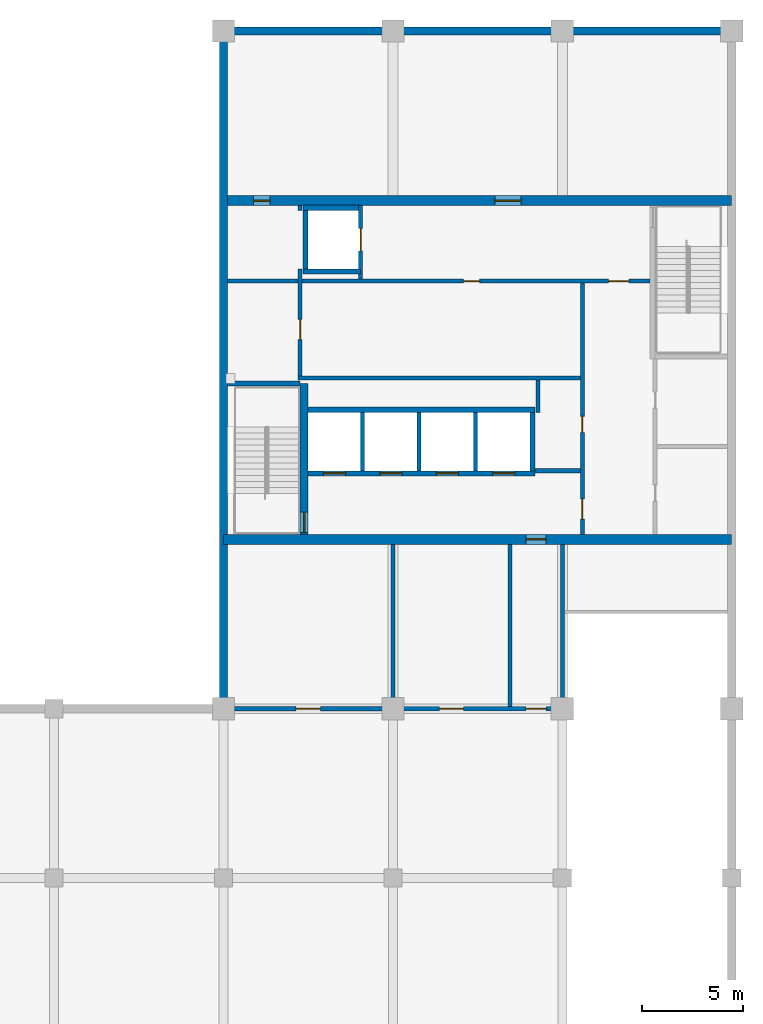
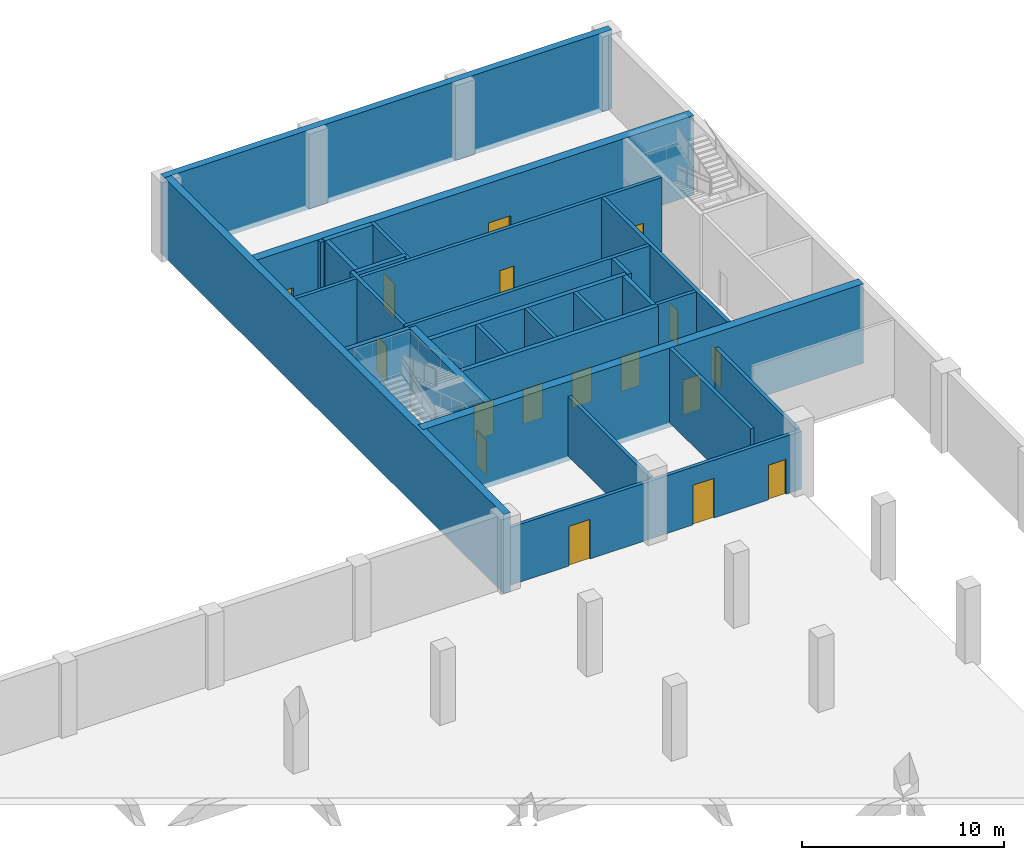
# One storey, part 6 of 13: 27 walls, 17 doors, 17 openings.
"""IFC4 building model written with IfcOpenShell, lengths in metres."""

from ifc_helpers import new_model, si_unit, direction, frame, frame_2d, origin, place, context, subcontext, project, spatial, rectangle, extrude, material, layer, layer_set, type_object, element, fill, save


model = new_model("IFC4")

# Units and contexts
model_context = context("Model", 3, precision=1e-05, world=origin(), true_north=direction((0.0, 1.0)))
body_context = subcontext(model_context, "Body", "Model", "MODEL_VIEW")
ifc_project = project(units=[si_unit("LENGTHUNIT", "METRE"), si_unit("AREAUNIT", "SQUARE_METRE"), si_unit("VOLUMEUNIT", "CUBIC_METRE"), si_unit("PLANEANGLEUNIT", "RADIAN"), si_unit("MASSUNIT", "GRAM", prefix="KILO")], contexts=[model_context])

# Site, building, storey
site_placement = place(None, origin())
site = spatial("IfcSite", under=ifc_project, at=site_placement, CompositionType="ELEMENT")
building_placement = place(site_placement, origin())
building = spatial("IfcBuilding", under=site, at=building_placement, Name="Rulbaag Community and Learning Centre", CompositionType="ELEMENT")
storey_placement = place(building_placement, frame((0.0, 0.0, -4.800048828125)))
storey = spatial("IfcBuildingStorey", under=building, at=storey_placement, Name="B1", CompositionType="ELEMENT", Elevation=-4.800048828125)

# Wall, openings, doors
ifc_material_1 = material(Name="Concrete blockwork", Category="masonry")
ifc_layer_1 = layer(ifc_material_1, 0.199951171875)
ifc_layer_set_1 = layer_set([ifc_layer_1], Name="FW-200 FIRE WALL 200")
wall_type_1 = type_object("IfcWallType", Name="FW-200 FIRE WALL 200", PredefinedType="SOLIDWALL", material=ifc_layer_set_1)
wall_1_placement = place(storey_placement, frame((143.0, 84.0, 0.0), z_axis=(0.0, 0.0, 1.0), x_axis=(1.0, 0.0, 0.0)))
wall_1 = element("IfcWall", 1, at=wall_1_placement, inside=storey, type_object=wall_type_1, Name="Fire wall B1 11", PredefinedType="SOLIDWALL", context=body_context, shape_type="SweptSolid", body=[
    extrude(rectangle(XDim=16.699951171875, YDim=0.199951171875, at=frame_2d((8.35009765625, 0.0))), origin(), (0.0, 0.0, 1.0), 3.5),
])
opening_1_placement = place(wall_1_placement, frame((3.39990234375, 0.0, 0.0)))
opening_1 = element("IfcOpeningElement", 2, at=opening_1_placement, cuts=wall_1, Name="Opening B1-D010", PredefinedType="OPENING", context=body_context, shape_type="SweptSolid", body=[
    extrude(rectangle(XDim=1.199951171875, YDim=2.39990234375, at=frame_2d((0.60009765625, 1.199951171875))), frame((0.0, 0.10986328125, 0.0), z_axis=(0.0, -1.0, 0.0), x_axis=(1.0, 0.0, 0.0)), (0.0, 0.0, 1.0), 0.219970703125),
])
opening_2_placement = place(wall_1_placement, frame((10.5, 0.0, 0.0)))
opening_2 = element("IfcOpeningElement", 3, at=opening_2_placement, cuts=wall_1, Name="Opening B1-D015", PredefinedType="OPENING", context=body_context, shape_type="SweptSolid", body=[
    extrude(rectangle(XDim=1.199951171875, YDim=2.39990234375, at=frame_2d((0.60009765625, 1.199951171875))), frame((0.0, 0.10986328125, 0.0), z_axis=(0.0, -1.0, 0.0), x_axis=(1.0, 0.0, 0.0)), (0.0, 0.0, 1.0), 0.219970703125),
])
opening_3_placement = place(wall_1_placement, frame((14.800048828125, 0.0, 0.0)))
opening_3 = element("IfcOpeningElement", 4, at=opening_3_placement, cuts=wall_1, Name="Opening B1-D020", PredefinedType="OPENING", context=body_context, shape_type="SweptSolid", body=[
    extrude(rectangle(XDim=1.0, YDim=2.10009765625, at=frame_2d((0.5, 1.050048828125))), frame((0.0, 0.10986328125, 0.0), z_axis=(0.0, -1.0, 0.0), x_axis=(1.0, 0.0, 0.0)), (0.0, 0.0, 1.0), 0.219970703125),
])
ifc_material_2 = material(Name="Galvanised steel", Category="steel")
door_type_1 = type_object("IfcDoorType", Name="DP-1200 PLANT ROOM DOOR 1200 x 2400", OperationType="SINGLE_SWING_LEFT", PredefinedType="DOOR", material=ifc_material_2)
door_1_placement = place(opening_1_placement, origin())
door_1 = element("IfcDoor", 5, at=door_1_placement, inside=storey, type_object=door_type_1, Name="Door B1-D010", OperationType="SINGLE_SWING_RIGHT", OverallHeight=2.39990234375, OverallWidth=1.199951171875, PredefinedType="DOOR", context=body_context, shape_type="SweptSolid", body=[
    extrude(rectangle(XDim=1.199951171875, YDim=2.39990234375, at=frame_2d((0.60009765625, 1.199951171875))), frame((0.0, 0.02490234375, 0.0), z_axis=(0.0, -1.0, 0.0), x_axis=(1.0, 0.0, 0.0)), (0.0, 0.0, 1.0), 0.050048828125),
])
fill(opening_1, door_1)
door_2_placement = place(opening_2_placement, origin())
door_2 = element("IfcDoor", 6, at=door_2_placement, inside=storey, type_object=door_type_1, Name="Door B1-D015", OperationType="SINGLE_SWING_LEFT", OverallHeight=2.39990234375, OverallWidth=1.199951171875, PredefinedType="DOOR", context=body_context, shape_type="SweptSolid", body=[
    extrude(rectangle(XDim=1.199951171875, YDim=2.39990234375, at=frame_2d((0.60009765625, 1.199951171875))), frame((0.0, 0.02490234375, 0.0), z_axis=(0.0, -1.0, 0.0), x_axis=(1.0, 0.0, 0.0)), (0.0, 0.0, 1.0), 0.050048828125),
])
fill(opening_2, door_2)
door_type_2 = type_object("IfcDoorType", Name="FD-1000 FIRE DOOR 1000 x 2100", OperationType="SINGLE_SWING_LEFT", PredefinedType="DOOR", material=ifc_material_2)
door_3_placement = place(opening_3_placement, origin())
door_3 = element("IfcDoor", 7, at=door_3_placement, inside=storey, type_object=door_type_2, Name="Door B1-D020", OperationType="SINGLE_SWING_RIGHT", OverallHeight=2.10009765625, OverallWidth=1.0, PredefinedType="DOOR", context=body_context, shape_type="SweptSolid", body=[
    extrude(rectangle(XDim=1.0, YDim=2.10009765625, at=frame_2d((0.5, 1.050048828125))), frame((0.0, 0.02490234375, 0.0), z_axis=(0.0, -1.0, 0.0), x_axis=(1.0, 0.0, 0.0)), (0.0, 0.0, 1.0), 0.050048828125),
])
fill(opening_3, door_3)

# Walls
wall_2_placement = place(storey_placement, frame((158.25, 95.800048828125, 0.0), z_axis=(0.0, 0.0, 1.0), x_axis=(1.0, 0.0, 0.0)))
element("IfcWall", 8, at=wall_2_placement, inside=storey, type_object=wall_type_1, Name="Fire wall B1 14", PredefinedType="SOLIDWALL", context=body_context, shape_type="SweptSolid", body=[
    extrude(rectangle(XDim=2.25, YDim=0.199951171875, at=frame_2d((1.125, 0.0))), origin(), (0.0, 0.0, 1.0), 4.5),
])
wall_3_placement = place(storey_placement, frame((146.5, 100.39990234375, 0.0), z_axis=(0.0, 0.0, 1.0), x_axis=(1.0, 0.0, 0.0)))
element("IfcWall", 9, at=wall_3_placement, inside=storey, type_object=wall_type_1, Name="Fire wall B1 16", PredefinedType="SOLIDWALL", context=body_context, shape_type="SweptSolid", body=[
    extrude(rectangle(XDim=14.0, YDim=0.199951171875, at=frame_2d((7.0, 0.0))), origin(), (0.0, 0.0, 1.0), 4.5),
])

# Wall, openings, doors
wall_4_placement = place(storey_placement, frame((143.0, 105.199951171875, 0.0), z_axis=(0.0, 0.0, 1.0), x_axis=(1.0, 0.0, 0.0)))
wall_4 = element("IfcWall", 10, at=wall_4_placement, inside=storey, type_object=wall_type_1, Name="Fire wall B1 17", PredefinedType="SOLIDWALL", context=body_context, shape_type="SweptSolid", body=[
    extrude(rectangle(XDim=20.949951171875, YDim=0.199951171875, at=frame_2d((10.47509765625, 0.0))), origin(), (0.0, 0.0, 1.0), 4.5),
])
opening_4_placement = place(wall_4_placement, frame((11.699951171875, 0.0, 0.0)))
opening_4 = element("IfcOpeningElement", 11, at=opening_4_placement, cuts=wall_4, Name="Opening B1-D016", PredefinedType="OPENING", context=body_context, shape_type="SweptSolid", body=[
    extrude(rectangle(XDim=0.800048828125, YDim=2.10009765625, at=frame_2d((0.39990234375, 1.050048828125))), frame((0.0, 0.10986328125, 0.0), z_axis=(0.0, -1.0, 0.0), x_axis=(1.0, 0.0, 0.0)), (0.0, 0.0, 1.0), 0.219970703125),
])
opening_5_placement = place(wall_4_placement, frame((18.89990234375, 0.0, 0.0)))
opening_5 = element("IfcOpeningElement", 12, at=opening_5_placement, cuts=wall_4, Name="Opening B1-D024", PredefinedType="OPENING", context=body_context, shape_type="SweptSolid", body=[
    extrude(rectangle(XDim=1.0, YDim=2.10009765625, at=frame_2d((0.5, 1.050048828125))), frame((0.0, 0.10986328125, 0.0), z_axis=(0.0, -1.0, 0.0), x_axis=(1.0, 0.0, 0.0)), (0.0, 0.0, 1.0), 0.219970703125),
])
door_4_placement = place(opening_5_placement, origin())
door_4 = element("IfcDoor", 13, at=door_4_placement, inside=storey, type_object=door_type_2, Name="Door B1-D024", OperationType="SINGLE_SWING_LEFT", OverallHeight=2.10009765625, OverallWidth=1.0, PredefinedType="DOOR", context=body_context, shape_type="SweptSolid", body=[
    extrude(rectangle(XDim=1.0, YDim=2.10009765625, at=frame_2d((0.5, 1.050048828125))), frame((0.0, 0.02490234375, 0.0), z_axis=(0.0, -1.0, 0.0), x_axis=(1.0, 0.0, 0.0)), (0.0, 0.0, 1.0), 0.050048828125),
])
fill(opening_5, door_4)
door_type_3 = type_object("IfcDoorType", Name="FDR-800 RISER FIRE DOOR 800 x 2100", OperationType="SINGLE_SWING_LEFT", PredefinedType="DOOR", material=ifc_material_2)
door_5_placement = place(opening_4_placement, origin())
door_5 = element("IfcDoor", 14, at=door_5_placement, inside=storey, type_object=door_type_3, Name="Riser door B1-D021", OperationType="SINGLE_SWING_RIGHT", OverallHeight=2.10009765625, OverallWidth=0.800048828125, PredefinedType="DOOR", context=body_context, shape_type="SweptSolid", body=[
    extrude(rectangle(XDim=0.800048828125, YDim=2.10009765625, at=frame_2d((0.39990234375, 1.050048828125))), frame((0.0, 0.02490234375, 0.0), z_axis=(0.0, -1.0, 0.0), x_axis=(1.0, 0.0, 0.0)), (0.0, 0.0, 1.0), 0.050048828125),
])
fill(opening_4, door_5)

# Wall, opening, door
wall_5_placement = place(storey_placement, frame((146.60009765625, 100.5, 0.0), z_axis=(0.0, 0.0, 1.0), x_axis=(0.0, 1.0, 0.0)))
wall_5 = element("IfcWall", 15, at=wall_5_placement, inside=storey, type_object=wall_type_1, Name="Fire wall B1 23", PredefinedType="SOLIDWALL", context=body_context, shape_type="SweptSolid", body=[
    extrude(rectangle(XDim=5.300048828125, YDim=0.199951171875, at=frame_2d((2.64990234375, 0.0))), origin(), (0.0, 0.0, 1.0), 4.5),
])
opening_6_placement = place(wall_5_placement, frame((1.800048828125, 0.0, 0.0)))
opening_6 = element("IfcOpeningElement", 16, at=opening_6_placement, cuts=wall_5, Name="Opening B1-D008", PredefinedType="OPENING", context=body_context, shape_type="SweptSolid", body=[
    extrude(rectangle(XDim=1.0, YDim=2.10009765625, at=frame_2d((0.5, 1.050048828125))), frame((0.0, 0.10986328125, 0.0), z_axis=(0.0, -1.0, 0.0), x_axis=(1.0, 0.0, 0.0)), (0.0, 0.0, 1.0), 0.219970703125),
])
door_6_placement = place(opening_6_placement, origin())
door_6 = element("IfcDoor", 17, at=door_6_placement, inside=storey, type_object=door_type_2, Name="Door B1-D008", OperationType="SINGLE_SWING_LEFT", OverallHeight=2.10009765625, OverallWidth=1.0, PredefinedType="DOOR", context=body_context, shape_type="SweptSolid", body=[
    extrude(rectangle(XDim=1.0, YDim=2.10009765625, at=frame_2d((0.5, 1.050048828125))), frame((0.0, 0.02490234375, 0.0), z_axis=(0.0, -1.0, 0.0), x_axis=(1.0, 0.0, 0.0)), (0.0, 0.0, 1.0), 0.050048828125),
])
fill(opening_6, door_6)

# Wall
wall_6_placement = place(storey_placement, frame((146.60009765625, 108.699951171875, 0.0), z_axis=(0.0, 0.0, 1.0), x_axis=(0.0, 1.0, 0.0)))
element("IfcWall", 18, at=wall_6_placement, inside=storey, type_object=wall_type_1, Name="Fire wall B1 24", PredefinedType="SOLIDWALL", context=body_context, shape_type="SweptSolid", body=[
    extrude(rectangle(XDim=0.25, YDim=0.199951171875, at=frame_2d((0.125, 0.0))), origin(), (0.0, 0.0, 1.0), 4.5),
])

# Wall, opening, door
wall_7_placement = place(storey_placement, frame((149.60009765625, 105.300048828125, 0.0), z_axis=(0.0, 0.0, 1.0), x_axis=(0.0, 1.0, 0.0)))
wall_7 = element("IfcWall", 19, at=wall_7_placement, inside=storey, type_object=wall_type_1, Name="Fire wall B1 25", PredefinedType="SOLIDWALL", context=body_context, shape_type="SweptSolid", body=[
    extrude(rectangle(XDim=3.64990234375, YDim=0.199951171875, at=frame_2d((1.824951171875, 0.0))), origin(), (0.0, 0.0, 1.0), 4.5),
])
opening_7_placement = place(wall_7_placement, frame((1.39990234375, 0.0, 0.0)))
opening_7 = element("IfcOpeningElement", 20, at=opening_7_placement, cuts=wall_7, Name="Opening B1-D012", PredefinedType="OPENING", context=body_context, shape_type="SweptSolid", body=[
    extrude(rectangle(XDim=1.10009765625, YDim=2.10009765625, at=frame_2d((0.550048828125, 1.050048828125))), frame((0.0, 0.10986328125, 0.0), z_axis=(0.0, -1.0, 0.0), x_axis=(1.0, 0.0, 0.0)), (0.0, 0.0, 1.0), 0.219970703125),
])
ifc_material_3 = material(Name="Stainless steel grade 304", Category="steel")
door_type_4 = type_object("IfcDoorType", Name="LD-1100 LIFT LANDING DOOR 1100 x 2100", OperationType="SLIDING_TO_LEFT", PredefinedType="DOOR", material=ifc_material_3)
door_7_placement = place(opening_7_placement, origin())
door_7 = element("IfcDoor", 21, at=door_7_placement, inside=storey, type_object=door_type_4, Name="Lift landing door LF1 B1", OperationType="SLIDING_TO_LEFT", OverallHeight=2.10009765625, OverallWidth=1.10009765625, PredefinedType="DOOR", context=body_context, shape_type="SweptSolid", body=[
    extrude(rectangle(XDim=1.10009765625, YDim=2.10009765625, at=frame_2d((0.550048828125, 1.050048828125))), frame((0.0, 0.02490234375, 0.0), z_axis=(0.0, -1.0, 0.0), x_axis=(1.0, 0.0, 0.0)), (0.0, 0.0, 1.0), 0.050048828125),
])
fill(opening_7, door_7)

# Walls
wall_8_placement = place(storey_placement, frame((151.199951171875, 84.10009765625, 0.0), z_axis=(0.0, 0.0, 1.0), x_axis=(0.0, 1.0, 0.0)))
element("IfcWall", 22, at=wall_8_placement, inside=storey, type_object=wall_type_1, Name="Fire wall B1 27", PredefinedType="SOLIDWALL", context=body_context, shape_type="SweptSolid", body=[
    extrude(rectangle(XDim=8.0498046875, YDim=0.199951171875, at=frame_2d((4.02490234375, 0.0))), origin(), (0.0, 0.0, 1.0), 3.60009765625),
])
wall_9_placement = place(storey_placement, frame((157.0, 84.10009765625, 0.0), z_axis=(0.0, 0.0, 1.0), x_axis=(0.0, 1.0, 0.0)))
element("IfcWall", 23, at=wall_9_placement, inside=storey, type_object=wall_type_1, Name="Fire wall B1 28", PredefinedType="SOLIDWALL", context=body_context, shape_type="SweptSolid", body=[
    extrude(rectangle(XDim=8.0498046875, YDim=0.199951171875, at=frame_2d((4.02490234375, 0.0))), origin(), (0.0, 0.0, 1.0), 4.5),
])
wall_10_placement = place(storey_placement, frame((158.39990234375, 98.699951171875, 0.0), z_axis=(0.0, 0.0, 1.0), x_axis=(0.0, 1.0, 0.0)))
element("IfcWall", 24, at=wall_10_placement, inside=storey, type_object=wall_type_1, Name="Fire wall B1 29", PredefinedType="SOLIDWALL", context=body_context, shape_type="SweptSolid", body=[
    extrude(rectangle(XDim=1.60009765625, YDim=0.199951171875, at=frame_2d((0.800048828125, 0.0))), origin(), (0.0, 0.0, 1.0), 4.5),
])
wall_11_placement = place(storey_placement, frame((159.60009765625, 84.10009765625, 0.0), z_axis=(0.0, 0.0, 1.0), x_axis=(0.0, 1.0, 0.0)))
element("IfcWall", 25, at=wall_11_placement, inside=storey, type_object=wall_type_1, Name="Fire wall B1 30", PredefinedType="SOLIDWALL", context=body_context, shape_type="SweptSolid", body=[
    extrude(rectangle(XDim=8.0498046875, YDim=0.199951171875, at=frame_2d((4.02490234375, 0.0))), origin(), (0.0, 0.0, 1.0), 3.60009765625),
])

# Wall, openings, doors
wall_12_placement = place(storey_placement, frame((160.60009765625, 92.64990234375, 0.0), z_axis=(0.0, 0.0, 1.0), x_axis=(0.0, 1.0, 0.0)))
wall_12 = element("IfcWall", 26, at=wall_12_placement, inside=storey, type_object=wall_type_1, Name="Fire wall B1 31", PredefinedType="SOLIDWALL", context=body_context, shape_type="SweptSolid", body=[
    extrude(rectangle(XDim=12.4501953125, YDim=0.199951171875, at=frame_2d((6.22509765625, 0.0))), origin(), (0.0, 0.0, 1.0), 4.5),
])
opening_8_placement = place(wall_12_placement, frame((5.050048828125, 0.0, 0.0)))
opening_8 = element("IfcOpeningElement", 27, at=opening_8_placement, cuts=wall_12, Name="Opening B1-D023", PredefinedType="OPENING", context=body_context, shape_type="SweptSolid", body=[
    extrude(rectangle(XDim=0.800048828125, YDim=2.10009765625, at=frame_2d((0.39990234375, 1.050048828125))), frame((0.0, 0.10986328125, 0.0), z_axis=(0.0, -1.0, 0.0), x_axis=(1.0, 0.0, 0.0)), (0.0, 0.0, 1.0), 0.219970703125),
])
opening_9_placement = place(wall_12_placement, frame((0.75, 0.0, 0.0)))
opening_9 = element("IfcOpeningElement", 28, at=opening_9_placement, cuts=wall_12, Name="Opening B1-D022", PredefinedType="OPENING", context=body_context, shape_type="SweptSolid", body=[
    extrude(rectangle(XDim=1.0, YDim=2.10009765625, at=frame_2d((0.5, 1.050048828125))), frame((0.0, 0.10986328125, 0.0), z_axis=(0.0, -1.0, 0.0), x_axis=(1.0, 0.0, 0.0)), (0.0, 0.0, 1.0), 0.219970703125),
])
door_8_placement = place(opening_9_placement, origin())
door_8 = element("IfcDoor", 29, at=door_8_placement, inside=storey, type_object=door_type_2, Name="Door B1-D022", OperationType="SINGLE_SWING_LEFT", OverallHeight=2.10009765625, OverallWidth=1.0, PredefinedType="DOOR", context=body_context, shape_type="SweptSolid", body=[
    extrude(rectangle(XDim=1.0, YDim=2.10009765625, at=frame_2d((0.5, 1.050048828125))), frame((0.0, 0.02490234375, 0.0), z_axis=(0.0, -1.0, 0.0), x_axis=(1.0, 0.0, 0.0)), (0.0, 0.0, 1.0), 0.050048828125),
])
fill(opening_9, door_8)
door_9_placement = place(opening_8_placement, origin())
door_9 = element("IfcDoor", 30, at=door_9_placement, inside=storey, type_object=door_type_3, Name="Riser door B1-D020", OperationType="SINGLE_SWING_RIGHT", OverallHeight=2.10009765625, OverallWidth=0.800048828125, PredefinedType="DOOR", context=body_context, shape_type="SweptSolid", body=[
    extrude(rectangle(XDim=0.800048828125, YDim=2.10009765625, at=frame_2d((0.39990234375, 1.050048828125))), frame((0.0, 0.02490234375, 0.0), z_axis=(0.0, -1.0, 0.0), x_axis=(1.0, 0.0, 0.0)), (0.0, 0.0, 1.0), 0.050048828125),
])
fill(opening_8, door_9)

# Walls
ifc_material_4 = material(Name="Concrete M40", Category="concrete")
ifc_layer_2 = layer(ifc_material_4, 0.39990234375)
ifc_layer_set_2 = layer_set([ifc_layer_2], Name="W10 Retaining wall 400 Concrete M40")
wall_type_2 = type_object("IfcWallType", Name="W10 Retaining wall 400 Concrete M40", PredefinedType="SOLIDWALL", material=ifc_layer_set_2)
wall_13_placement = place(storey_placement, frame((168.199951171875, 117.60009765625, -0.300048828125), z_axis=(0.0, 0.0, 1.0), x_axis=(-1.0, 0.0, 0.0)))
element("IfcWall", 31, at=wall_13_placement, inside=storey, type_object=wall_type_2, Name="WL-RET-3-B1", PredefinedType="SOLIDWALL", context=body_context, shape_type="SweptSolid", body=[
    extrude(rectangle(XDim=25.599853515625, YDim=0.39990234375, at=frame_2d((12.7998046875, 0.0))), origin(), (0.0, 0.0, 1.0), 4.800048828125),
])
wall_14_placement = place(storey_placement, frame((142.800048828125, 117.800048828125, -0.300048828125), z_axis=(0.0, 0.0, 1.0), x_axis=(0.0, -1.0, 0.0)))
element("IfcWall", 32, at=wall_14_placement, inside=storey, type_object=wall_type_2, Name="WL-RET-4-B1", PredefinedType="SOLIDWALL", context=body_context, shape_type="SweptSolid", body=[
    extrude(rectangle(XDim=34.0, YDim=0.39990234375, at=frame_2d((17.0, 0.0))), origin(), (0.0, 0.0, 1.0), 4.800048828125),
])
ifc_layer_3 = layer(ifc_material_4, 0.27490234375)
ifc_layer_set_3 = layer_set([ifc_layer_3], Name="W16 Shaft wall 275 Concrete M40")
wall_type_3 = type_object("IfcWallType", Name="W16 Shaft wall 275 Concrete M40", PredefinedType="SHEAR", material=ifc_layer_set_3)
wall_15_placement = place(storey_placement, frame((146.75, 108.83740234375, -0.300048828125), z_axis=(0.0, 0.0, 1.0), x_axis=(1.0, 0.0, 0.0)))
element("IfcWall", 33, at=wall_15_placement, inside=storey, type_object=wall_type_3, Name="WL-LF-N-B1", PredefinedType="SHEAR", context=body_context, shape_type="SweptSolid", body=[
    extrude(rectangle(XDim=2.85009765625, YDim=0.27490234375, at=frame_2d((1.425048828125, 0.0))), origin(), (0.0, 0.0, 1.0), 4.800048828125),
])

# Wall, opening, door
ifc_material_5 = material(Name="Concrete M60", Category="concrete")
ifc_layer_4 = layer(ifc_material_5, 0.5)
ifc_layer_set_4 = layer_set([ifc_layer_4], Name="W4 Core wall 500 Concrete M60")
wall_type_4 = type_object("IfcWallType", Name="W4 Core wall 500 Concrete M60", PredefinedType="SHEAR", material=ifc_layer_set_4)
wall_16_placement = place(storey_placement, frame((142.800048828125, 92.39990234375, -0.300048828125), z_axis=(0.0, 0.0, 1.0), x_axis=(1.0, 0.0, 0.0)))
wall_16 = element("IfcWall", 34, at=wall_16_placement, inside=storey, type_object=wall_type_4, Name="WL-CORE-S-B1", PredefinedType="SHEAR", context=body_context, shape_type="SweptSolid", body=[
    extrude(rectangle(XDim=25.199951171875, YDim=0.5, at=frame_2d((12.60009765625, 0.0))), origin(), (0.0, 0.0, 1.0), 4.800048828125),
])
opening_10_placement = place(wall_16_placement, frame((15.0, 0.0, 0.300048828125)))
opening_10 = element("IfcOpeningElement", 35, at=opening_10_placement, cuts=wall_16, Name="Opening B1-D021", PredefinedType="OPENING", context=body_context, shape_type="SweptSolid", body=[
    extrude(rectangle(XDim=1.0, YDim=2.10009765625, at=frame_2d((0.5, 1.050048828125))), frame((0.0, 0.260009765625, 0.0), z_axis=(0.0, -1.0, 0.0), x_axis=(1.0, 0.0, 0.0)), (0.0, 0.0, 1.0), 0.52001953125),
])
door_10_placement = place(opening_10_placement, origin())
door_10 = element("IfcDoor", 36, at=door_10_placement, inside=storey, type_object=door_type_2, Name="Door B1-D021", OperationType="SINGLE_SWING_RIGHT", OverallHeight=2.10009765625, OverallWidth=1.0, PredefinedType="DOOR", context=body_context, shape_type="SweptSolid", body=[
    extrude(rectangle(XDim=1.0, YDim=2.10009765625, at=frame_2d((0.5, 1.050048828125))), frame((0.0, 0.02490234375, 0.0), z_axis=(0.0, -1.0, 0.0), x_axis=(1.0, 0.0, 0.0)), (0.0, 0.0, 1.0), 0.050048828125),
])
fill(opening_10, door_10)

# Wall, openings, doors
wall_17_placement = place(storey_placement, frame((142.800048828125, 109.199951171875, -0.300048828125), z_axis=(0.0, 0.0, 1.0), x_axis=(1.0, 0.0, 0.0)))
wall_17 = element("IfcWall", 37, at=wall_17_placement, inside=storey, type_object=wall_type_4, Name="WL-CORE-N-B1", PredefinedType="SHEAR", context=body_context, shape_type="SweptSolid", body=[
    extrude(rectangle(XDim=25.199951171875, YDim=0.5, at=frame_2d((12.60009765625, 0.0))), origin(), (0.0, 0.0, 1.0), 4.800048828125),
])
opening_11_placement = place(wall_17_placement, frame((13.449951171875, 0.0, 0.300048828125)))
opening_11 = element("IfcOpeningElement", 38, at=opening_11_placement, cuts=wall_17, Name="Opening B1-D018", PredefinedType="OPENING", context=body_context, shape_type="SweptSolid", body=[
    extrude(rectangle(XDim=1.300048828125, YDim=2.10009765625, at=frame_2d((0.64990234375, 1.050048828125))), frame((0.0, 0.260009765625, 0.0), z_axis=(0.0, -1.0, 0.0), x_axis=(1.0, 0.0, 0.0)), (0.0, 0.0, 1.0), 0.52001953125),
])
opening_12_placement = place(wall_17_placement, frame((1.5, 0.0, 0.300048828125)))
opening_12 = element("IfcOpeningElement", 39, at=opening_12_placement, cuts=wall_17, Name="Opening B1-D007", PredefinedType="OPENING", context=body_context, shape_type="SweptSolid", body=[
    extrude(rectangle(XDim=0.800048828125, YDim=2.10009765625, at=frame_2d((0.39990234375, 1.050048828125))), frame((0.0, 0.260009765625, 0.0), z_axis=(0.0, -1.0, 0.0), x_axis=(1.0, 0.0, 0.0)), (0.0, 0.0, 1.0), 0.52001953125),
])
ifc_material_6 = material(Name="Timber", Category="wood")
door_type_5 = type_object("IfcDoorType", Name="D-1300 REFUSE AND PUMP ROOM DOOR 1300 x 2100", OperationType="SINGLE_SWING_LEFT", PredefinedType="DOOR", material=ifc_material_6)
door_11_placement = place(opening_11_placement, origin())
door_11 = element("IfcDoor", 40, at=door_11_placement, inside=storey, type_object=door_type_5, Name="Door B1-D018", OperationType="SINGLE_SWING_RIGHT", OverallHeight=2.10009765625, OverallWidth=1.300048828125, PredefinedType="DOOR", context=body_context, shape_type="SweptSolid", body=[
    extrude(rectangle(XDim=1.300048828125, YDim=2.10009765625, at=frame_2d((0.64990234375, 1.050048828125))), frame((0.0, 0.02490234375, 0.0), z_axis=(0.0, -1.0, 0.0), x_axis=(1.0, 0.0, 0.0)), (0.0, 0.0, 1.0), 0.050048828125),
])
fill(opening_11, door_11)
door_12_placement = place(opening_12_placement, origin())
door_12 = element("IfcDoor", 41, at=door_12_placement, inside=storey, type_object=door_type_3, Name="Riser door B1-D023", OperationType="SINGLE_SWING_RIGHT", OverallHeight=2.10009765625, OverallWidth=0.800048828125, PredefinedType="DOOR", context=body_context, shape_type="SweptSolid", body=[
    extrude(rectangle(XDim=0.800048828125, YDim=2.10009765625, at=frame_2d((0.39990234375, 1.050048828125))), frame((0.0, 0.02490234375, 0.0), z_axis=(0.0, -1.0, 0.0), x_axis=(1.0, 0.0, 0.0)), (0.0, 0.0, 1.0), 0.050048828125),
])
fill(opening_12, door_12)

# Wall
ifc_layer_5 = layer(ifc_material_4, 0.25)
ifc_layer_set_5 = layer_set([ifc_layer_5], Name="W5 Shaft wall 250 Concrete M40")
wall_type_5 = type_object("IfcWallType", Name="W5 Shaft wall 250 Concrete M40", PredefinedType="SHEAR", material=ifc_layer_set_5)
wall_18_placement = place(storey_placement, frame((143.0, 100.125, -0.300048828125), z_axis=(0.0, 0.0, 1.0), x_axis=(1.0, 0.0, 0.0)))
element("IfcWall", 42, at=wall_18_placement, inside=storey, type_object=wall_type_5, Name="WL-ST1-N-B1", PredefinedType="SHEAR", context=body_context, shape_type="SweptSolid", body=[
    extrude(rectangle(XDim=3.60009765625, YDim=0.25, at=frame_2d((1.800048828125, 0.0))), origin(), (0.0, 0.0, 1.0), 4.800048828125),
])

# Wall, openings, doors
wall_19_placement = place(storey_placement, frame((147.0, 95.675048828125, -0.300048828125), z_axis=(0.0, 0.0, 1.0), x_axis=(1.0, 0.0, 0.0)))
wall_19 = element("IfcWall", 43, at=wall_19_placement, inside=storey, type_object=wall_type_5, Name="WL-LP-S-B1", PredefinedType="SHEAR", context=body_context, shape_type="SweptSolid", body=[
    extrude(rectangle(XDim=11.25, YDim=0.25, at=frame_2d((5.625, 0.0))), origin(), (0.0, 0.0, 1.0), 4.800048828125),
])
opening_13_placement = place(wall_19_placement, frame((0.75, 0.0, 0.300048828125)))
opening_13 = element("IfcOpeningElement", 44, at=opening_13_placement, cuts=wall_19, Name="Opening B1-D011", PredefinedType="OPENING", context=body_context, shape_type="SweptSolid", body=[
    extrude(rectangle(XDim=1.10009765625, YDim=2.10009765625, at=frame_2d((0.550048828125, 1.050048828125))), frame((0.0, 0.135009765625, 0.0), z_axis=(0.0, -1.0, 0.0), x_axis=(1.0, 0.0, 0.0)), (0.0, 0.0, 1.0), 0.27001953125),
])
opening_14_placement = place(wall_19_placement, frame((3.550048828125, 0.0, 0.300048828125)))
opening_14 = element("IfcOpeningElement", 45, at=opening_14_placement, cuts=wall_19, Name="Opening B1-D013", PredefinedType="OPENING", context=body_context, shape_type="SweptSolid", body=[
    extrude(rectangle(XDim=1.10009765625, YDim=2.10009765625, at=frame_2d((0.550048828125, 1.050048828125))), frame((0.0, 0.135009765625, 0.0), z_axis=(0.0, -1.0, 0.0), x_axis=(1.0, 0.0, 0.0)), (0.0, 0.0, 1.0), 0.27001953125),
])
opening_15_placement = place(wall_19_placement, frame((6.35009765625, 0.0, 0.300048828125)))
opening_15 = element("IfcOpeningElement", 46, at=opening_15_placement, cuts=wall_19, Name="Opening B1-D014", PredefinedType="OPENING", context=body_context, shape_type="SweptSolid", body=[
    extrude(rectangle(XDim=1.10009765625, YDim=2.10009765625, at=frame_2d((0.550048828125, 1.050048828125))), frame((0.0, 0.135009765625, 0.0), z_axis=(0.0, -1.0, 0.0), x_axis=(1.0, 0.0, 0.0)), (0.0, 0.0, 1.0), 0.27001953125),
])
opening_16_placement = place(wall_19_placement, frame((9.14990234375, 0.0, 0.300048828125)))
opening_16 = element("IfcOpeningElement", 47, at=opening_16_placement, cuts=wall_19, Name="Opening B1-D017", PredefinedType="OPENING", context=body_context, shape_type="SweptSolid", body=[
    extrude(rectangle(XDim=1.10009765625, YDim=2.10009765625, at=frame_2d((0.550048828125, 1.050048828125))), frame((0.0, 0.135009765625, 0.0), z_axis=(0.0, -1.0, 0.0), x_axis=(1.0, 0.0, 0.0)), (0.0, 0.0, 1.0), 0.27001953125),
])
door_13_placement = place(opening_13_placement, origin())
door_13 = element("IfcDoor", 48, at=door_13_placement, inside=storey, type_object=door_type_4, Name="Lift landing door LP1 B1", OperationType="SLIDING_TO_LEFT", OverallHeight=2.10009765625, OverallWidth=1.10009765625, PredefinedType="DOOR", context=body_context, shape_type="SweptSolid", body=[
    extrude(rectangle(XDim=1.10009765625, YDim=2.10009765625, at=frame_2d((0.550048828125, 1.050048828125))), frame((0.0, 0.02490234375, 0.0), z_axis=(0.0, -1.0, 0.0), x_axis=(1.0, 0.0, 0.0)), (0.0, 0.0, 1.0), 0.050048828125),
])
fill(opening_13, door_13)
door_14_placement = place(opening_14_placement, origin())
door_14 = element("IfcDoor", 49, at=door_14_placement, inside=storey, type_object=door_type_4, Name="Lift landing door LP2 B1", OperationType="SLIDING_TO_LEFT", OverallHeight=2.10009765625, OverallWidth=1.10009765625, PredefinedType="DOOR", context=body_context, shape_type="SweptSolid", body=[
    extrude(rectangle(XDim=1.10009765625, YDim=2.10009765625, at=frame_2d((0.550048828125, 1.050048828125))), frame((0.0, 0.02490234375, 0.0), z_axis=(0.0, -1.0, 0.0), x_axis=(1.0, 0.0, 0.0)), (0.0, 0.0, 1.0), 0.050048828125),
])
fill(opening_14, door_14)
door_15_placement = place(opening_15_placement, origin())
door_15 = element("IfcDoor", 50, at=door_15_placement, inside=storey, type_object=door_type_4, Name="Lift landing door LP3 B1", OperationType="SLIDING_TO_LEFT", OverallHeight=2.10009765625, OverallWidth=1.10009765625, PredefinedType="DOOR", context=body_context, shape_type="SweptSolid", body=[
    extrude(rectangle(XDim=1.10009765625, YDim=2.10009765625, at=frame_2d((0.550048828125, 1.050048828125))), frame((0.0, 0.02490234375, 0.0), z_axis=(0.0, -1.0, 0.0), x_axis=(1.0, 0.0, 0.0)), (0.0, 0.0, 1.0), 0.050048828125),
])
fill(opening_15, door_15)
door_16_placement = place(opening_16_placement, origin())
door_16 = element("IfcDoor", 51, at=door_16_placement, inside=storey, type_object=door_type_4, Name="Lift landing door LP4 B1", OperationType="SLIDING_TO_LEFT", OverallHeight=2.10009765625, OverallWidth=1.10009765625, PredefinedType="DOOR", context=body_context, shape_type="SweptSolid", body=[
    extrude(rectangle(XDim=1.10009765625, YDim=2.10009765625, at=frame_2d((0.550048828125, 1.050048828125))), frame((0.0, 0.02490234375, 0.0), z_axis=(0.0, -1.0, 0.0), x_axis=(1.0, 0.0, 0.0)), (0.0, 0.0, 1.0), 0.050048828125),
])
fill(opening_16, door_16)

# Walls
wall_20_placement = place(storey_placement, frame((147.0, 98.824951171875, -0.300048828125), z_axis=(0.0, 0.0, 1.0), x_axis=(1.0, 0.0, 0.0)))
element("IfcWall", 52, at=wall_20_placement, inside=storey, type_object=wall_type_5, Name="WL-LP-N-B1", PredefinedType="SHEAR", context=body_context, shape_type="SweptSolid", body=[
    extrude(rectangle(XDim=11.25, YDim=0.25, at=frame_2d((5.625, 0.0))), origin(), (0.0, 0.0, 1.0), 4.800048828125),
])
wall_21_placement = place(storey_placement, frame((158.125, 95.800048828125, -0.300048828125), z_axis=(0.0, 0.0, 1.0), x_axis=(0.0, 1.0, 0.0)))
element("IfcWall", 53, at=wall_21_placement, inside=storey, type_object=wall_type_5, Name="WL-LP-E-B1", PredefinedType="SHEAR", context=body_context, shape_type="SweptSolid", body=[
    extrude(rectangle(XDim=2.89990234375, YDim=0.25, at=frame_2d((1.449951171875, 0.0))), origin(), (0.0, 0.0, 1.0), 4.800048828125),
])
wall_22_placement = place(storey_placement, frame((146.75, 105.675048828125, -0.300048828125), z_axis=(0.0, 0.0, 1.0), x_axis=(1.0, 0.0, 0.0)))
element("IfcWall", 54, at=wall_22_placement, inside=storey, type_object=wall_type_5, Name="WL-LF-S-B1", PredefinedType="SHEAR", context=body_context, shape_type="SweptSolid", body=[
    extrude(rectangle(XDim=2.85009765625, YDim=0.25, at=frame_2d((1.425048828125, 0.0))), origin(), (0.0, 0.0, 1.0), 4.800048828125),
])
wall_23_placement = place(storey_placement, frame((146.875, 105.800048828125, -0.300048828125), z_axis=(0.0, 0.0, 1.0), x_axis=(0.0, 1.0, 0.0)))
element("IfcWall", 55, at=wall_23_placement, inside=storey, type_object=wall_type_5, Name="WL-LF-W-B1", PredefinedType="SHEAR", context=body_context, shape_type="SweptSolid", body=[
    extrude(rectangle(XDim=2.89990234375, YDim=0.25, at=frame_2d((1.449951171875, 0.0))), origin(), (0.0, 0.0, 1.0), 4.800048828125),
])
ifc_layer_6 = layer(ifc_material_4, 0.199951171875)
ifc_layer_set_6 = layer_set([ifc_layer_6], Name="W6 Shaft divider 200 Concrete M40")
wall_type_6 = type_object("IfcWallType", Name="W6 Shaft divider 200 Concrete M40", PredefinedType="SHEAR", material=ifc_layer_set_6)
for number, where, z_axis, x_axis, name in (
    (56, (149.699951171875, 95.800048828125, -0.300048828125), (0.0, 0.0, 1.0), (0.0, 1.0, 0.0), "WL-LP-D1-B1"),
    (57, (152.5, 95.800048828125, -0.300048828125), (0.0, 0.0, 1.0), (0.0, 1.0, 0.0), "WL-LP-D2-B1"),
    (58, (155.300048828125, 95.800048828125, -0.300048828125), (0.0, 0.0, 1.0), (0.0, 1.0, 0.0), "WL-LP-D3-B1"),
):
    element("IfcWall", number, at=place(storey_placement, frame(where, z_axis=z_axis, x_axis=x_axis)), inside=storey, type_object=wall_type_6, Name=name, PredefinedType="SHEAR", context=body_context, shape_type="SweptSolid", body=[
        extrude(rectangle(XDim=2.89990234375, YDim=0.199951171875, at=frame_2d((1.449951171875, 0.0))), origin(), (0.0, 0.0, 1.0), 4.800048828125),
    ])

# Wall, opening, door
ifc_layer_7 = layer(ifc_material_4, 0.39990234375)
ifc_layer_set_7 = layer_set([ifc_layer_7], Name="W7 Stair wall 400 Concrete M40")
wall_type_7 = type_object("IfcWallType", Name="W7 Stair wall 400 Concrete M40", PredefinedType="SHEAR", material=ifc_layer_set_7)
wall_24_placement = place(storey_placement, frame((146.800048828125, 92.64990234375, -0.300048828125), z_axis=(0.0, 0.0, 1.0), x_axis=(0.0, 1.0, 0.0)))
wall_24 = element("IfcWall", 59, at=wall_24_placement, inside=storey, type_object=wall_type_7, Name="WL-ST1-E-B1", PredefinedType="SHEAR", context=body_context, shape_type="SweptSolid", body=[
    extrude(rectangle(XDim=7.47509765625, YDim=0.39990234375, at=frame_2d((3.737548828125, 0.0))), origin(), (0.0, 0.0, 1.0), 4.800048828125),
])
opening_17_placement = place(wall_24_placement, frame((0.10009765625, 0.0, 0.300048828125)))
opening_17 = element("IfcOpeningElement", 60, at=opening_17_placement, cuts=wall_24, Name="Opening B1-D009", PredefinedType="OPENING", context=body_context, shape_type="SweptSolid", body=[
    extrude(rectangle(XDim=1.0, YDim=2.10009765625, at=frame_2d((0.5, 1.050048828125))), frame((0.0, 0.2099609375, 0.0), z_axis=(0.0, -1.0, 0.0), x_axis=(1.0, 0.0, 0.0)), (0.0, 0.0, 1.0), 0.419921875),
])
door_17_placement = place(opening_17_placement, origin())
door_17 = element("IfcDoor", 61, at=door_17_placement, inside=storey, type_object=door_type_2, Name="Door B1-D009", OperationType="SINGLE_SWING_RIGHT", OverallHeight=2.10009765625, OverallWidth=1.0, PredefinedType="DOOR", context=body_context, shape_type="SweptSolid", body=[
    extrude(rectangle(XDim=1.0, YDim=2.10009765625, at=frame_2d((0.5, 1.050048828125))), frame((0.0, 0.02490234375, 0.0), z_axis=(0.0, -1.0, 0.0), x_axis=(1.0, 0.0, 0.0)), (0.0, 0.0, 1.0), 0.050048828125),
])
fill(opening_17, door_17)

save(model, "model.ifc")
